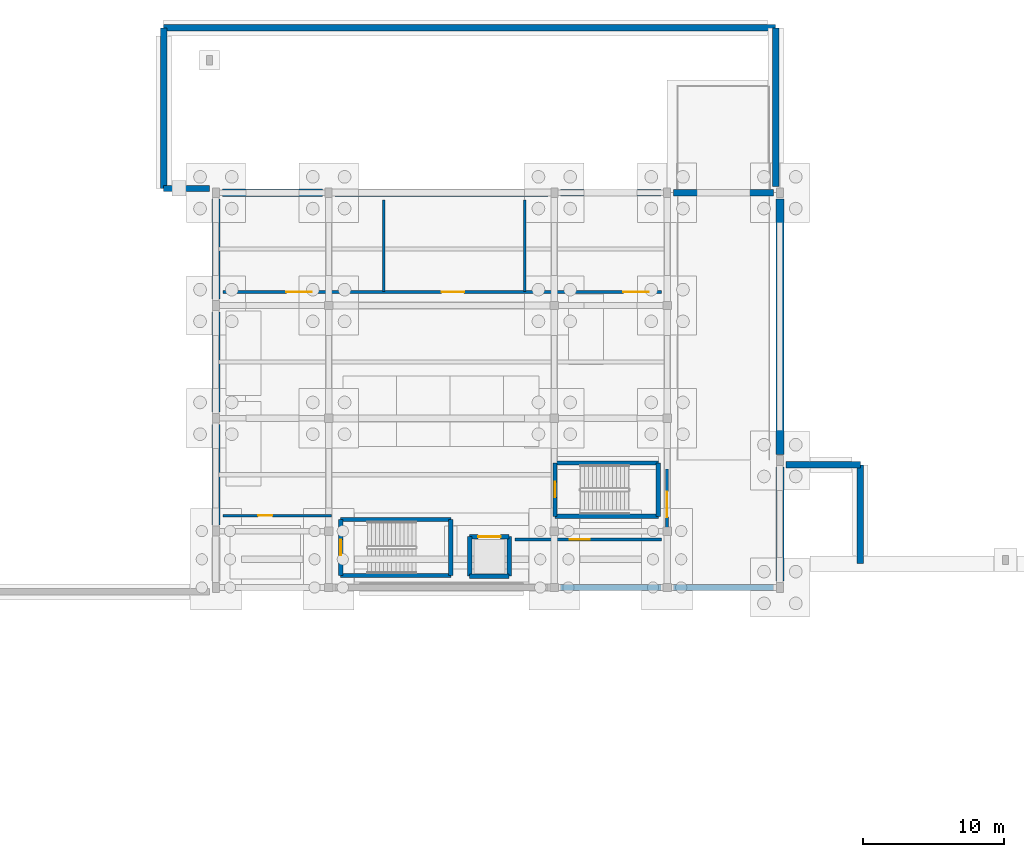
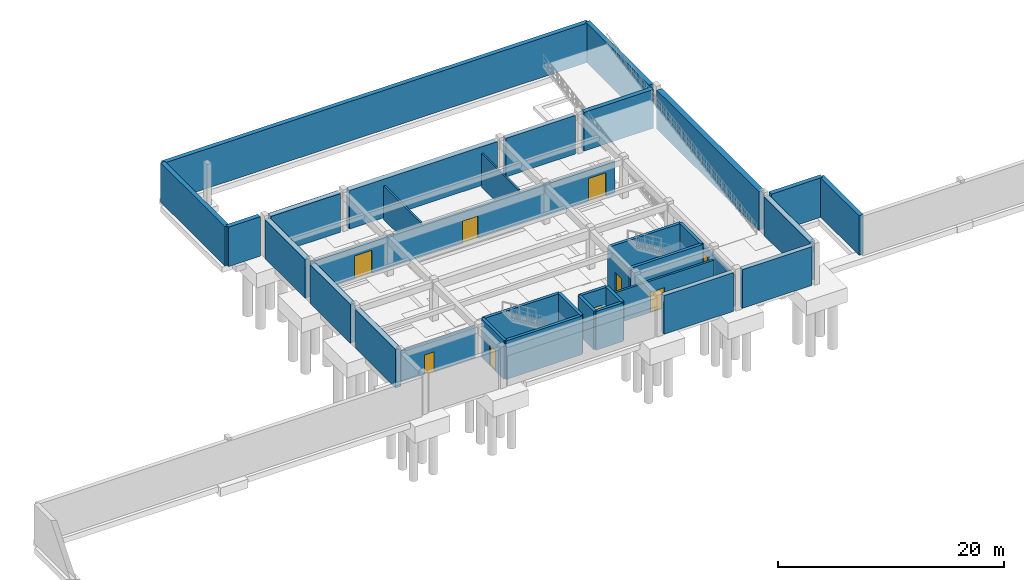
# One storey, part 6 of 11: 35 walls, 9 doors, 9 openings.
"""IFC4 building model written with IfcOpenShell, lengths in metres."""

from ifc_helpers import new_model, si_unit, direction, frame, frame_2d, origin, place, context, subcontext, project, spatial, rectangle, extrude, material, layer, layer_set, type_object, element, fill, save


model = new_model("IFC4")

# Units and contexts
model_context = context("Model", 3, precision=1e-05, world=origin(), true_north=direction((0.0, 1.0)))
body_context = subcontext(model_context, "Body", "Model", "MODEL_VIEW")
ifc_project = project(units=[si_unit("LENGTHUNIT", "METRE"), si_unit("AREAUNIT", "SQUARE_METRE"), si_unit("VOLUMEUNIT", "CUBIC_METRE"), si_unit("PLANEANGLEUNIT", "RADIAN"), si_unit("MASSUNIT", "GRAM", prefix="KILO")], contexts=[model_context])

# Site, building, storey
site_placement = place(None, origin())
site = spatial("IfcSite", under=ifc_project, at=site_placement, CompositionType="ELEMENT")
building_placement = place(site_placement, origin())
building = spatial("IfcBuilding", under=site, at=building_placement, Name="Serraluz Foothill Cableway Terminal", CompositionType="ELEMENT")
storey_placement = place(building_placement, frame((0.0, 0.0, -4.5)))
storey = spatial("IfcBuildingStorey", under=building, at=storey_placement, Name="B1", CompositionType="ELEMENT", Elevation=-4.5)

# Walls
ifc_material_1 = material(Name="Fired clay masonry brick (f'm 12 MPa)", Category="masonry")
ifc_layer_1 = layer(ifc_material_1, 0.179931640625, Name="Fired clay masonry brick (f'm 12 MPa)", Category="masonry")
ifc_layer_set_1 = layer_set([ifc_layer_1], Name="Fired clay masonry brick (f'm 12 MPa)")
wall_type_1 = type_object("IfcWallType", Name="TYP-WL-PRT-180", PredefinedType="PARTITIONING", material=ifc_layer_set_1)
for number, where, z_axis, x_axis, name in (
    (1, (83.89990234375, 97.0, 0.0), (0.0, 0.0, 1.0), (0.0, 1.0, 0.0), "Interior Partition PT-B1-02"),
    (2, (93.89990234375, 97.0, 0.0), (0.0, 0.0, 1.0), (0.0, 1.0, 0.0), "Interior Partition PT-B1-03"),
):
    element("IfcWall", number, at=place(storey_placement, frame(where, z_axis=z_axis, x_axis=x_axis)), inside=storey, type_object=wall_type_1, Name=name, PredefinedType="PARTITIONING", context=body_context, shape_type="SweptSolid", body=[
        extrude(rectangle(XDim=6.5, YDim=0.179931640625, at=frame_2d((3.25, 0.0))), origin(), (0.0, 0.0, 1.0), 3.64208984375),
    ])

# Wall, opening, door
wall_1_placement = place(storey_placement, frame((72.5, 81.10009765625, 0.0), z_axis=(0.0, 0.0, 1.0), x_axis=(1.0, 0.0, 0.0)))
wall_1 = element("IfcWall", 3, at=wall_1_placement, inside=storey, type_object=wall_type_1, Name="Interior Partition PT-B1-04", PredefinedType="PARTITIONING", context=body_context, shape_type="SweptSolid", body=[
    extrude(rectangle(XDim=7.699951171875, YDim=0.179931640625, at=frame_2d((3.85009765625, 0.0))), origin(), (0.0, 0.0, 1.0), 3.39208984375),
])
opening_1_placement = place(wall_1_placement, frame((2.5, 0.0, 0.0)))
opening_1 = element("IfcOpeningElement", 4, at=opening_1_placement, cuts=wall_1, Name="Opening DI-04", PredefinedType="OPENING", context=body_context, shape_type="SweptSolid", body=[
    extrude(rectangle(XDim=1.0, YDim=2.10009765625, at=frame_2d((0.5, 1.050048828125))), frame((0.0, 0.10009765625, 0.0), z_axis=(0.0, -1.0, 0.0), x_axis=(1.0, 0.0, 0.0)), (0.0, 0.0, 1.0), 0.199951171875),
])
ifc_material_2 = material(Name="Kiln-dried Andean oak hardwood", Category="wood")
door_type_1 = type_object("IfcDoorType", Name="TYP-DR-ACC-1000", OperationType="NOTDEFINED", PredefinedType="DOOR", material=ifc_material_2)
door_1_placement = place(opening_1_placement, origin())
door_1 = element("IfcDoor", 5, at=door_1_placement, inside=storey, type_object=door_type_1, Name="Interior Door PT-B1-04-DR1", OperationType="SINGLE_SWING_RIGHT", OverallHeight=2.10009765625, OverallWidth=1.0, PredefinedType="DOOR", context=body_context, shape_type="SweptSolid", body=[
    extrude(rectangle(XDim=1.0, YDim=2.10009765625, at=frame_2d((0.5, 1.050048828125))), frame((0.0, 0.02490234375, 0.0), z_axis=(0.0, -1.0, 0.0), x_axis=(1.0, 0.0, 0.0)), (0.0, 0.0, 1.0), 0.050048828125),
])
fill(opening_1, door_1)

# Wall, openings, doors
ifc_material_3 = material(Name="Concrete C28/35 (f'c 28 MPa)", Category="concrete")
ifc_layer_2 = layer(ifc_material_3, 0.219970703125, Name="Concrete C28/35 (f'c 28 MPa)", Category="concrete")
ifc_layer_set_2 = layer_set([ifc_layer_2], Name="Concrete C28/35 (f'c 28 MPa)")
wall_type_2 = type_object("IfcWallType", Name="TYP-WL-PRT-220", PredefinedType="PARTITIONING", material=ifc_layer_set_2)
wall_2_placement = place(storey_placement, frame((72.5, 96.949951171875, 0.0), z_axis=(0.0, 0.0, 1.0), x_axis=(1.0, 0.0, 0.0)))
wall_2 = element("IfcWall", 6, at=wall_2_placement, inside=storey, type_object=wall_type_2, Name="Interior Partition PT-B1-01", PredefinedType="PARTITIONING", context=body_context, shape_type="SweptSolid", body=[
    extrude(rectangle(XDim=31.10009765625, YDim=0.219970703125, at=frame_2d((15.550048828125, 0.0))), origin(), (0.0, 0.0, 1.0), 3.39208984375),
])
opening_2_placement = place(wall_2_placement, frame((4.5, 0.0, 0.0)))
opening_2 = element("IfcOpeningElement", 7, at=opening_2_placement, cuts=wall_2, Name="Opening DP-02", PredefinedType="OPENING", context=body_context, shape_type="SweptSolid", body=[
    extrude(rectangle(XDim=1.800048828125, YDim=2.5, at=frame_2d((0.89990234375, 1.25))), frame((0.0, 0.1201171875, 0.0), z_axis=(0.0, -1.0, 0.0), x_axis=(1.0, 0.0, 0.0)), (0.0, 0.0, 1.0), 0.239990234375),
])
opening_3_placement = place(wall_2_placement, frame((15.5, 0.0, 0.0)))
opening_3 = element("IfcOpeningElement", 8, at=opening_3_placement, cuts=wall_2, Name="Opening DP-01", PredefinedType="OPENING", context=body_context, shape_type="SweptSolid", body=[
    extrude(rectangle(XDim=1.60009765625, YDim=2.39990234375, at=frame_2d((0.800048828125, 1.199951171875))), frame((0.0, 0.1201171875, 0.0), z_axis=(0.0, -1.0, 0.0), x_axis=(1.0, 0.0, 0.0)), (0.0, 0.0, 1.0), 0.239990234375),
])
opening_4_placement = place(wall_2_placement, frame((28.39990234375, 0.0, 0.0)))
opening_4 = element("IfcOpeningElement", 9, at=opening_4_placement, cuts=wall_2, Name="Opening DP-02", PredefinedType="OPENING", context=body_context, shape_type="SweptSolid", body=[
    extrude(rectangle(XDim=1.800048828125, YDim=2.5, at=frame_2d((0.89990234375, 1.25))), frame((0.0, 0.1201171875, 0.0), z_axis=(0.0, -1.0, 0.0), x_axis=(1.0, 0.0, 0.0)), (0.0, 0.0, 1.0), 0.239990234375),
])
ifc_material_4 = material(Name="Galvanized hollow-metal steel sheet", Category="steel")
door_type_2 = type_object("IfcDoorType", Name="TYP-DR-PLNT-1600", OperationType="DOUBLE_DOOR_SINGLE_SWING", PredefinedType="DOOR", material=ifc_material_4)
door_2_placement = place(opening_3_placement, origin())
door_2 = element("IfcDoor", 10, at=door_2_placement, inside=storey, type_object=door_type_2, Name="Interior Door PT-B1-01-DR2", OperationType="DOUBLE_DOOR_SINGLE_SWING", OverallHeight=2.39990234375, OverallWidth=1.60009765625, PredefinedType="DOOR", context=body_context, shape_type="SweptSolid", body=[
    extrude(rectangle(XDim=1.60009765625, YDim=2.39990234375, at=frame_2d((0.800048828125, 1.199951171875))), frame((0.0, 0.02490234375, 0.0), z_axis=(0.0, -1.0, 0.0), x_axis=(1.0, 0.0, 0.0)), (0.0, 0.0, 1.0), 0.050048828125),
])
fill(opening_3, door_2)
door_type_3 = type_object("IfcDoorType", Name="TYP-DR-PLNT-1800", OperationType="DOUBLE_DOOR_SINGLE_SWING", PredefinedType="DOOR", material=ifc_material_4)
door_3_placement = place(opening_2_placement, origin())
door_3 = element("IfcDoor", 11, at=door_3_placement, inside=storey, type_object=door_type_3, Name="Interior Door PT-B1-01-DR1", OperationType="DOUBLE_DOOR_SINGLE_SWING", OverallHeight=2.5, OverallWidth=1.800048828125, PredefinedType="DOOR", context=body_context, shape_type="SweptSolid", body=[
    extrude(rectangle(XDim=1.800048828125, YDim=2.5, at=frame_2d((0.89990234375, 1.25))), frame((0.0, 0.02490234375, 0.0), z_axis=(0.0, -1.0, 0.0), x_axis=(1.0, 0.0, 0.0)), (0.0, 0.0, 1.0), 0.050048828125),
])
fill(opening_2, door_3)
door_4_placement = place(opening_4_placement, origin())
door_4 = element("IfcDoor", 12, at=door_4_placement, inside=storey, type_object=door_type_3, Name="Interior Door PT-B1-01-DR3", OperationType="DOUBLE_DOOR_SINGLE_SWING", OverallHeight=2.5, OverallWidth=1.800048828125, PredefinedType="DOOR", context=body_context, shape_type="SweptSolid", body=[
    extrude(rectangle(XDim=1.800048828125, YDim=2.5, at=frame_2d((0.89990234375, 1.25))), frame((0.0, 0.02490234375, 0.0), z_axis=(0.0, -1.0, 0.0), x_axis=(1.0, 0.0, 0.0)), (0.0, 0.0, 1.0), 0.050048828125),
])
fill(opening_4, door_4)

# Wall, opening, door
wall_3_placement = place(storey_placement, frame((93.199951171875, 79.39990234375, 0.0), z_axis=(0.0, 0.0, 1.0), x_axis=(1.0, 0.0, 0.0)))
wall_3 = element("IfcWall", 13, at=wall_3_placement, inside=storey, type_object=wall_type_2, Name="Interior Partition PT-B1-05", PredefinedType="PARTITIONING", context=body_context, shape_type="SweptSolid", body=[
    extrude(rectangle(XDim=10.400146484375, YDim=0.219970703125, at=frame_2d((5.2001953125, 0.0))), origin(), (0.0, 0.0, 1.0), 3.39208984375),
])
opening_5_placement = place(wall_3_placement, frame((3.89990234375, 0.0, 0.0)))
opening_5 = element("IfcOpeningElement", 14, at=opening_5_placement, cuts=wall_3, Name="Opening DF-09", PredefinedType="OPENING", context=body_context, shape_type="SweptSolid", body=[
    extrude(rectangle(XDim=1.39990234375, YDim=2.199951171875, at=frame_2d((0.699951171875, 1.10009765625))), frame((0.0, 0.1201171875, 0.0), z_axis=(0.0, -1.0, 0.0), x_axis=(1.0, 0.0, 0.0)), (0.0, 0.0, 1.0), 0.239990234375),
])
door_type_4 = type_object("IfcDoorType", Name="TYP-DR-FD60-1400", OperationType="DOUBLE_DOOR_SINGLE_SWING", PredefinedType="DOOR", material=ifc_material_4)
door_5_placement = place(opening_5_placement, origin())
door_5 = element("IfcDoor", 15, at=door_5_placement, inside=storey, type_object=door_type_4, Name="Interior Door PT-B1-05-DR1", OperationType="DOUBLE_DOOR_SINGLE_SWING", OverallHeight=2.199951171875, OverallWidth=1.39990234375, PredefinedType="DOOR", context=body_context, shape_type="SweptSolid", body=[
    extrude(rectangle(XDim=1.39990234375, YDim=2.199951171875, at=frame_2d((0.699951171875, 1.10009765625))), frame((0.0, 0.02490234375, 0.0), z_axis=(0.0, -1.0, 0.0), x_axis=(1.0, 0.0, 0.0)), (0.0, 0.0, 1.0), 0.050048828125),
])
fill(opening_5, door_5)

wall_4_placement = place(storey_placement, frame((104.0, 76.39990234375, 0.0), z_axis=(0.0, 0.0, 1.0), x_axis=(0.0, 1.0, 0.0)))
wall_4 = element("IfcWall", 16, at=wall_4_placement, inside=storey, type_object=wall_type_2, Name="Interior Partition PT-B1-06", PredefinedType="PARTITIONING", context=body_context, shape_type="SweptSolid", body=[
    extrude(rectangle(XDim=8.0, YDim=0.219970703125, at=frame_2d((4.0, 0.0))), origin(), (0.0, 0.0, 1.0), 3.39208984375),
])
opening_6_placement = place(wall_4_placement, frame((4.60009765625, 0.0, 0.0)))
opening_6 = element("IfcOpeningElement", 17, at=opening_6_placement, cuts=wall_4, Name="Opening DP-02", PredefinedType="OPENING", context=body_context, shape_type="SweptSolid", body=[
    extrude(rectangle(XDim=1.800048828125, YDim=2.5, at=frame_2d((0.89990234375, 1.25))), frame((0.0, 0.1201171875, 0.0), z_axis=(0.0, -1.0, 0.0), x_axis=(1.0, 0.0, 0.0)), (0.0, 0.0, 1.0), 0.239990234375),
])
door_6_placement = place(opening_6_placement, origin())
door_6 = element("IfcDoor", 18, at=door_6_placement, inside=storey, type_object=door_type_3, Name="Interior Door PT-B1-06-DR1", OperationType="DOUBLE_DOOR_SINGLE_SWING", OverallHeight=2.5, OverallWidth=1.800048828125, PredefinedType="DOOR", context=body_context, shape_type="SweptSolid", body=[
    extrude(rectangle(XDim=1.800048828125, YDim=2.5, at=frame_2d((0.89990234375, 1.25))), frame((0.0, 0.02490234375, 0.0), z_axis=(0.0, -1.0, 0.0), x_axis=(1.0, 0.0, 0.0)), (0.0, 0.0, 1.0), 0.050048828125),
])
fill(opening_6, door_6)

# Walls
ifc_material_5 = material(Name="Concrete C35/45 (f'c 35 MPa)", Category="concrete")
ifc_layer_3 = layer(ifc_material_5, 0.449951171875, Name="Concrete C35/45 (f'c 35 MPa)", Category="concrete")
ifc_layer_set_3 = layer_set([ifc_layer_3], Name="Concrete C35/45 (f'c 35 MPa)")
wall_type_3 = type_object("IfcWallType", Name="TYP-WL-RET-450", PredefinedType="USERDEFINED", material=ifc_layer_set_3)
for number, where, z_axis, x_axis, name in (
    (19, (96.449951171875, 104.0, 0.0), (0.0, 0.0, 1.0), (1.0, 0.0, 0.0), "Earth Retaining Plinth Wall RW-B1-N3"),
    (20, (104.449951171875, 104.0, 0.0), (0.0, 0.0, 1.0), (1.0, 0.0, 0.0), "Earth Retaining Plinth Wall RW-B1-N4"),
    (21, (96.449951171875, 76.0, 0.0), (0.0, 0.0, 1.0), (1.0, 0.0, 0.0), "Earth Retaining Plinth Wall RW-B1-S3"),
    (22, (104.449951171875, 76.0, 0.0), (0.0, 0.0, 1.0), (1.0, 0.0, 0.0), "Earth Retaining Plinth Wall RW-B1-S4"),
):
    element("IfcWall", number, at=place(storey_placement, frame(where, z_axis=z_axis, x_axis=x_axis)), inside=storey, type_object=wall_type_3, Name=name, ObjectType="RETAININGWALL", PredefinedType="USERDEFINED", context=body_context, shape_type="SweptSolid", body=[
        extrude(rectangle(XDim=7.10009765625, YDim=0.449951171875, at=frame_2d((3.550048828125, 0.0))), origin(), (0.0, 0.0, 1.0), 4.179931640625),
    ])
wall_5_placement = place(storey_placement, frame((117.699951171875, 77.699951171875, 0.0), z_axis=(0.0, 0.0, 1.0), x_axis=(0.0, 1.0, 0.0)))
element("IfcWall", 23, at=wall_5_placement, inside=storey, type_object=wall_type_3, Name="Earth Retaining Plinth Wall PLN-E-03", ObjectType="RETAININGWALL", PredefinedType="USERDEFINED", context=body_context, shape_type="SweptSolid", body=[
    extrude(rectangle(XDim=7.0, YDim=0.449951171875, at=frame_2d((3.5, 0.0))), origin(), (0.0, 0.0, 1.0), 4.260009765625),
])
wall_6_placement = place(storey_placement, frame((117.699951171875, 84.699951171875, 0.0), z_axis=(0.0, 0.0, 1.0), x_axis=(-1.0, 0.0, 0.0)))
element("IfcWall", 24, at=wall_6_placement, inside=storey, type_object=wall_type_3, Name="Earth Retaining Plinth Wall PLN-N-02", ObjectType="RETAININGWALL", PredefinedType="USERDEFINED", context=body_context, shape_type="SweptSolid", body=[
    extrude(rectangle(XDim=5.25, YDim=0.449951171875, at=frame_2d((2.625, 0.0))), origin(), (0.0, 0.0, 1.0), 4.260009765625),
])
wall_7_placement = place(storey_placement, frame((111.699951171875, 104.449951171875, 0.0), z_axis=(0.0, 0.0, 1.0), x_axis=(0.0, 1.0, 0.0)))
element("IfcWall", 25, at=wall_7_placement, inside=storey, type_object=wall_type_3, Name="Earth Retaining Plinth Wall PLN-E-04", ObjectType="RETAININGWALL", PredefinedType="USERDEFINED", context=body_context, shape_type="SweptSolid", body=[
    extrude(rectangle(XDim=11.25, YDim=0.449951171875, at=frame_2d((5.625, 0.0))), origin(), (0.0, 0.0, 1.0), 4.260009765625),
])
wall_8_placement = place(storey_placement, frame((111.699951171875, 115.699951171875, 0.0), z_axis=(0.0, 0.0, 1.0), x_axis=(-1.0, 0.0, 0.0)))
element("IfcWall", 26, at=wall_8_placement, inside=storey, type_object=wall_type_3, Name="Earth Retaining Plinth Wall PLN-N-03", ObjectType="RETAININGWALL", PredefinedType="USERDEFINED", context=body_context, shape_type="SweptSolid", body=[
    extrude(rectangle(XDim=43.39990234375, YDim=0.449951171875, at=frame_2d((21.699951171875, 0.0))), origin(), (0.0, 0.0, 1.0), 4.260009765625),
])
wall_9_placement = place(storey_placement, frame((68.300048828125, 115.699951171875, 0.0), z_axis=(0.0, 0.0, 1.0), x_axis=(0.0, -1.0, 0.0)))
element("IfcWall", 27, at=wall_9_placement, inside=storey, type_object=wall_type_3, Name="Earth Retaining Plinth Wall PLN-W-01", ObjectType="RETAININGWALL", PredefinedType="USERDEFINED", context=body_context, shape_type="SweptSolid", body=[
    extrude(rectangle(XDim=11.39990234375, YDim=0.449951171875, at=frame_2d((5.699951171875, 0.0))), origin(), (0.0, 0.0, 1.0), 4.260009765625),
])
wall_10_placement = place(storey_placement, frame((68.300048828125, 104.300048828125, 0.0), z_axis=(0.0, 0.0, 1.0), x_axis=(1.0, 0.0, 0.0)))
element("IfcWall", 28, at=wall_10_placement, inside=storey, type_object=wall_type_3, Name="Earth Retaining Plinth Wall PLN-S-04", ObjectType="RETAININGWALL", PredefinedType="USERDEFINED", context=body_context, shape_type="SweptSolid", body=[
    extrude(rectangle(XDim=3.25, YDim=0.449951171875, at=frame_2d((1.625, 0.0))), origin(), (0.0, 0.0, 1.0), 4.260009765625),
])
ifc_layer_4 = layer(ifc_material_5, 0.550048828125, Name="Concrete C35/45 (f'c 35 MPa)", Category="concrete")
ifc_layer_set_4 = layer_set([ifc_layer_4], Name="Concrete C35/45 (f'c 35 MPa)")
wall_type_4 = type_object("IfcWallType", Name="TYP-WL-RET-550", PredefinedType="USERDEFINED", material=ifc_layer_set_4)
wall_11_placement = place(storey_placement, frame((72.449951171875, 104.0, 0.0), z_axis=(0.0, 0.0, 1.0), x_axis=(1.0, 0.0, 0.0)))
element("IfcWall", 29, at=wall_11_placement, inside=storey, type_object=wall_type_4, Name="Earth Retaining Plinth Wall RW-B1-N1", ObjectType="RETAININGWALL", PredefinedType="USERDEFINED", context=body_context, shape_type="SweptSolid", body=[
    extrude(rectangle(XDim=7.10009765625, YDim=0.550048828125, at=frame_2d((3.550048828125, 0.0))), origin(), (0.0, 0.0, 1.0), 4.179931640625),
])
wall_12_placement = place(storey_placement, frame((80.449951171875, 104.0, 0.0), z_axis=(0.0, 0.0, 1.0), x_axis=(1.0, 0.0, 0.0)))
element("IfcWall", 30, at=wall_12_placement, inside=storey, type_object=wall_type_4, Name="Earth Retaining Plinth Wall RW-B1-N2", ObjectType="RETAININGWALL", PredefinedType="USERDEFINED", context=body_context, shape_type="SweptSolid", body=[
    extrude(rectangle(XDim=15.10009765625, YDim=0.550048828125, at=frame_2d((7.550048828125, 0.0))), origin(), (0.0, 0.0, 1.0), 4.179931640625),
])
for number, where, z_axis, x_axis, name in (
    (31, (72.0, 103.550048828125, 0.0), (0.0, 0.0, 1.0), (0.0, -1.0, 0.0), "Earth Retaining Plinth Wall RW-B1-W1"),
    (32, (72.0, 95.550048828125, 0.0), (0.0, 0.0, 1.0), (0.0, -1.0, 0.0), "Earth Retaining Plinth Wall RW-B1-W2"),
    (33, (72.0, 87.550048828125, 0.0), (0.0, 0.0, 1.0), (0.0, -1.0, 0.0), "Earth Retaining Plinth Wall RW-B1-W3"),
):
    element("IfcWall", number, at=place(storey_placement, frame(where, z_axis=z_axis, x_axis=x_axis)), inside=storey, type_object=wall_type_4, Name=name, ObjectType="RETAININGWALL", PredefinedType="USERDEFINED", context=body_context, shape_type="SweptSolid", body=[
        extrude(rectangle(XDim=7.10009765625, YDim=0.550048828125, at=frame_2d((3.550048828125, 0.0))), origin(), (0.0, 0.0, 1.0), 4.179931640625),
    ])
wall_13_placement = place(storey_placement, frame((112.0, 76.449951171875, 0.0), z_axis=(0.0, 0.0, 1.0), x_axis=(0.0, 1.0, 0.0)))
element("IfcWall", 34, at=wall_13_placement, inside=storey, type_object=wall_type_4, Name="Earth Retaining Plinth Wall RW-B1-E1", ObjectType="RETAININGWALL", PredefinedType="USERDEFINED", context=body_context, shape_type="SweptSolid", body=[
    extrude(rectangle(XDim=8.10009765625, YDim=0.550048828125, at=frame_2d((4.050048828125, 0.0))), origin(), (0.0, 0.0, 1.0), 4.179931640625),
])
wall_14_placement = place(storey_placement, frame((112.0, 85.449951171875, 0.0), z_axis=(0.0, 0.0, 1.0), x_axis=(0.0, 1.0, 0.0)))
element("IfcWall", 35, at=wall_14_placement, inside=storey, type_object=wall_type_4, Name="Earth Retaining Plinth Wall RW-B1-E2", ObjectType="RETAININGWALL", PredefinedType="USERDEFINED", context=body_context, shape_type="SweptSolid", body=[
    extrude(rectangle(XDim=18.10009765625, YDim=0.550048828125, at=frame_2d((9.050048828125, 0.0))), origin(), (0.0, 0.0, 1.0), 4.179931640625),
])
ifc_layer_5 = layer(ifc_material_5, 0.300048828125, Name="Concrete C35/45 (f'c 35 MPa)", Category="concrete")
ifc_layer_set_5 = layer_set([ifc_layer_5], Name="Concrete C35/45 (f'c 35 MPa)")
wall_type_5 = type_object("IfcWallType", Name="TYP-WL-SHR-350", PredefinedType="SHEAR", material=ifc_layer_set_5)
wall_15_placement = place(storey_placement, frame((88.659912109375, 76.85009765625, 0.0), z_axis=(0.0, 0.0, 1.0), x_axis=(-1.0, 0.0, 0.0)))
element("IfcWall", 36, at=wall_15_placement, inside=storey, type_object=wall_type_5, Name="Stair Core Shear Wall CW-ST-08-B1-S", PredefinedType="SHEAR", context=body_context, shape_type="SweptSolid", body=[
    extrude(rectangle(XDim=7.809814453125, YDim=0.300048828125, at=frame_2d((3.90478515625, 0.0))), origin(), (0.0, 0.0, 1.0), 4.179931640625),
])

# Wall, opening, door
wall_16_placement = place(storey_placement, frame((80.85009765625, 76.85009765625, 0.0), z_axis=(0.0, 0.0, 1.0), x_axis=(0.0, 1.0, 0.0)))
wall_16 = element("IfcWall", 37, at=wall_16_placement, inside=storey, type_object=wall_type_5, Name="Stair Core Shear Wall CW-ST-08-B1-W", PredefinedType="SHEAR", context=body_context, shape_type="SweptSolid", body=[
    extrude(rectangle(XDim=3.97998046875, YDim=0.300048828125, at=frame_2d((1.989990234375, 0.0))), origin(), (0.0, 0.0, 1.0), 4.179931640625),
])
opening_7_placement = place(wall_16_placement, frame((1.43994140625, 0.0, 0.0)))
opening_7 = element("IfcOpeningElement", 38, at=opening_7_placement, cuts=wall_16, Name="Opening DF-07", PredefinedType="OPENING", context=body_context, shape_type="SweptSolid", body=[
    extrude(rectangle(XDim=1.10009765625, YDim=2.199951171875, at=frame_2d((0.550048828125, 1.10009765625))), frame((0.0, 0.16015625, 0.0), z_axis=(0.0, -1.0, 0.0), x_axis=(1.0, 0.0, 0.0)), (0.0, 0.0, 1.0), 0.320068359375),
])
door_type_5 = type_object("IfcDoorType", Name="TYP-DR-FD60-1100", OperationType="NOTDEFINED", PredefinedType="DOOR", material=ifc_material_4)
door_7_placement = place(opening_7_placement, origin())
door_7 = element("IfcDoor", 39, at=door_7_placement, inside=storey, type_object=door_type_5, Name="Exit Stair Fire Door ST-08 B1", OperationType="SINGLE_SWING_LEFT", OverallHeight=2.199951171875, OverallWidth=1.10009765625, PredefinedType="DOOR", context=body_context, shape_type="SweptSolid", body=[
    extrude(rectangle(XDim=1.10009765625, YDim=2.199951171875, at=frame_2d((0.550048828125, 1.10009765625))), frame((0.0, 0.02490234375, 0.0), z_axis=(0.0, -1.0, 0.0), x_axis=(1.0, 0.0, 0.0)), (0.0, 0.0, 1.0), 0.050048828125),
])
fill(opening_7, door_7)

# Walls
wall_17_placement = place(storey_placement, frame((80.85009765625, 80.830078125, 0.0), z_axis=(0.0, 0.0, 1.0), x_axis=(1.0, 0.0, 0.0)))
element("IfcWall", 40, at=wall_17_placement, inside=storey, type_object=wall_type_5, Name="Stair Core Shear Wall CW-ST-08-B1-N", PredefinedType="SHEAR", context=body_context, shape_type="SweptSolid", body=[
    extrude(rectangle(XDim=7.809814453125, YDim=0.300048828125, at=frame_2d((3.90478515625, 0.0))), origin(), (0.0, 0.0, 1.0), 4.179931640625),
])
wall_18_placement = place(storey_placement, frame((88.659912109375, 80.830078125, 0.0), z_axis=(0.0, 0.0, 1.0), x_axis=(0.0, -1.0, 0.0)))
element("IfcWall", 41, at=wall_18_placement, inside=storey, type_object=wall_type_5, Name="Stair Core Shear Wall CW-ST-08-B1-E", PredefinedType="SHEAR", context=body_context, shape_type="SweptSolid", body=[
    extrude(rectangle(XDim=3.97998046875, YDim=0.300048828125, at=frame_2d((1.989990234375, 0.0))), origin(), (0.0, 0.0, 1.0), 4.179931640625),
])
wall_19_placement = place(storey_placement, frame((103.375, 81.050048828125, 0.0), z_axis=(0.0, 0.0, 1.0), x_axis=(-1.0, 0.0, 0.0)))
element("IfcWall", 42, at=wall_19_placement, inside=storey, type_object=wall_type_5, Name="Stair Core Shear Wall CW-ST-09-B1-S", PredefinedType="SHEAR", context=body_context, shape_type="SweptSolid", body=[
    extrude(rectangle(XDim=7.324951171875, YDim=0.300048828125, at=frame_2d((3.66259765625, 0.0))), origin(), (0.0, 0.0, 1.0), 4.179931640625),
])

# Wall, opening, door
wall_20_placement = place(storey_placement, frame((96.050048828125, 81.050048828125, 0.0), z_axis=(0.0, 0.0, 1.0), x_axis=(0.0, 1.0, 0.0)))
wall_20 = element("IfcWall", 43, at=wall_20_placement, inside=storey, type_object=wall_type_5, Name="Stair Core Shear Wall CW-ST-09-B1-W", PredefinedType="SHEAR", context=body_context, shape_type="SweptSolid", body=[
    extrude(rectangle(XDim=3.780029296875, YDim=0.300048828125, at=frame_2d((1.89013671875, 0.0))), origin(), (0.0, 0.0, 1.0), 4.179931640625),
])
opening_8_placement = place(wall_20_placement, frame((1.340087890625, 0.0, 0.0)))
opening_8 = element("IfcOpeningElement", 44, at=opening_8_placement, cuts=wall_20, Name="Opening DF-07", PredefinedType="OPENING", context=body_context, shape_type="SweptSolid", body=[
    extrude(rectangle(XDim=1.10009765625, YDim=2.199951171875, at=frame_2d((0.550048828125, 1.10009765625))), frame((0.0, 0.16015625, 0.0), z_axis=(0.0, -1.0, 0.0), x_axis=(1.0, 0.0, 0.0)), (0.0, 0.0, 1.0), 0.320068359375),
])
door_8_placement = place(opening_8_placement, origin())
door_8 = element("IfcDoor", 45, at=door_8_placement, inside=storey, type_object=door_type_5, Name="Exit Stair Fire Door ST-09 B1", OperationType="SINGLE_SWING_RIGHT", OverallHeight=2.199951171875, OverallWidth=1.10009765625, PredefinedType="DOOR", context=body_context, shape_type="SweptSolid", body=[
    extrude(rectangle(XDim=1.10009765625, YDim=2.199951171875, at=frame_2d((0.550048828125, 1.10009765625))), frame((0.0, 0.02490234375, 0.0), z_axis=(0.0, -1.0, 0.0), x_axis=(1.0, 0.0, 0.0)), (0.0, 0.0, 1.0), 0.050048828125),
])
fill(opening_8, door_8)

# Walls
wall_21_placement = place(storey_placement, frame((96.050048828125, 84.830078125, 0.0), z_axis=(0.0, 0.0, 1.0), x_axis=(1.0, 0.0, 0.0)))
element("IfcWall", 46, at=wall_21_placement, inside=storey, type_object=wall_type_5, Name="Stair Core Shear Wall CW-ST-09-B1-N", PredefinedType="SHEAR", context=body_context, shape_type="SweptSolid", body=[
    extrude(rectangle(XDim=7.324951171875, YDim=0.300048828125, at=frame_2d((3.66259765625, 0.0))), origin(), (0.0, 0.0, 1.0), 4.179931640625),
])
wall_22_placement = place(storey_placement, frame((103.375, 84.830078125, 0.0), z_axis=(0.0, 0.0, 1.0), x_axis=(0.0, -1.0, 0.0)))
element("IfcWall", 47, at=wall_22_placement, inside=storey, type_object=wall_type_5, Name="Stair Core Shear Wall CW-ST-09-B1-E", PredefinedType="SHEAR", context=body_context, shape_type="SweptSolid", body=[
    extrude(rectangle(XDim=3.780029296875, YDim=0.300048828125, at=frame_2d((1.89013671875, 0.0))), origin(), (0.0, 0.0, 1.0), 4.179931640625),
])
for number, where, z_axis, x_axis, name in (
    (48, (92.800048828125, 76.800048828125, 0.0), (0.0, 0.0, 1.0), (-1.0, 0.0, 0.0), "Lift Shaft Shear Wall LW-LF-07-B1-S"),
    (49, (90.0, 76.800048828125, 0.0), (0.0, 0.0, 1.0), (0.0, 1.0, 0.0), "Lift Shaft Shear Wall LW-LF-07-B1-W"),
):
    element("IfcWall", number, at=place(storey_placement, frame(where, z_axis=z_axis, x_axis=x_axis)), inside=storey, type_object=wall_type_5, Name=name, PredefinedType="SHEAR", context=body_context, shape_type="SweptSolid", body=[
        extrude(rectangle(XDim=2.800048828125, YDim=0.300048828125, at=frame_2d((1.39990234375, 0.0))), origin(), (0.0, 0.0, 1.0), 4.179931640625),
    ])

# Wall, opening, door
wall_23_placement = place(storey_placement, frame((90.0, 79.60009765625, 0.0), z_axis=(0.0, 0.0, 1.0), x_axis=(1.0, 0.0, 0.0)))
wall_23 = element("IfcWall", 50, at=wall_23_placement, inside=storey, type_object=wall_type_5, Name="Lift Shaft Shear Wall LW-LF-07-B1-N", PredefinedType="SHEAR", context=body_context, shape_type="SweptSolid", body=[
    extrude(rectangle(XDim=2.800048828125, YDim=0.300048828125, at=frame_2d((1.39990234375, 0.0))), origin(), (0.0, 0.0, 1.0), 4.179931640625),
])
opening_9_placement = place(wall_23_placement, frame((0.60009765625, 0.0, 0.0)))
opening_9 = element("IfcOpeningElement", 51, at=opening_9_placement, cuts=wall_23, Name="Opening LD-03", PredefinedType="OPENING", context=body_context, shape_type="SweptSolid", body=[
    extrude(rectangle(XDim=1.60009765625, YDim=2.39990234375, at=frame_2d((0.800048828125, 1.199951171875))), frame((0.0, 0.16015625, 0.0), z_axis=(0.0, -1.0, 0.0), x_axis=(1.0, 0.0, 0.0)), (0.0, 0.0, 1.0), 0.320068359375),
])
door_type_6 = type_object("IfcDoorType", Name="TYP-DR-LD-1600", OperationType="DOUBLE_DOOR_SLIDING", PredefinedType="DOOR", material=ifc_material_4)
door_9_placement = place(opening_9_placement, origin())
door_9 = element("IfcDoor", 52, at=door_9_placement, inside=storey, type_object=door_type_6, Name="Lift Sliding Landing Door LF-07 B1", OperationType="DOUBLE_DOOR_SLIDING", OverallHeight=2.39990234375, OverallWidth=1.60009765625, PredefinedType="DOOR", context=body_context, shape_type="SweptSolid", body=[
    extrude(rectangle(XDim=1.60009765625, YDim=2.39990234375, at=frame_2d((0.800048828125, 1.199951171875))), frame((0.0, 0.02490234375, 0.0), z_axis=(0.0, -1.0, 0.0), x_axis=(1.0, 0.0, 0.0)), (0.0, 0.0, 1.0), 0.050048828125),
])
fill(opening_9, door_9)

# Wall
wall_24_placement = place(storey_placement, frame((92.800048828125, 79.60009765625, 0.0), z_axis=(0.0, 0.0, 1.0), x_axis=(0.0, -1.0, 0.0)))
element("IfcWall", 53, at=wall_24_placement, inside=storey, type_object=wall_type_5, Name="Lift Shaft Shear Wall LW-LF-07-B1-E", PredefinedType="SHEAR", context=body_context, shape_type="SweptSolid", body=[
    extrude(rectangle(XDim=2.800048828125, YDim=0.300048828125, at=frame_2d((1.39990234375, 0.0))), origin(), (0.0, 0.0, 1.0), 4.179931640625),
])

save(model, "model.ifc")
